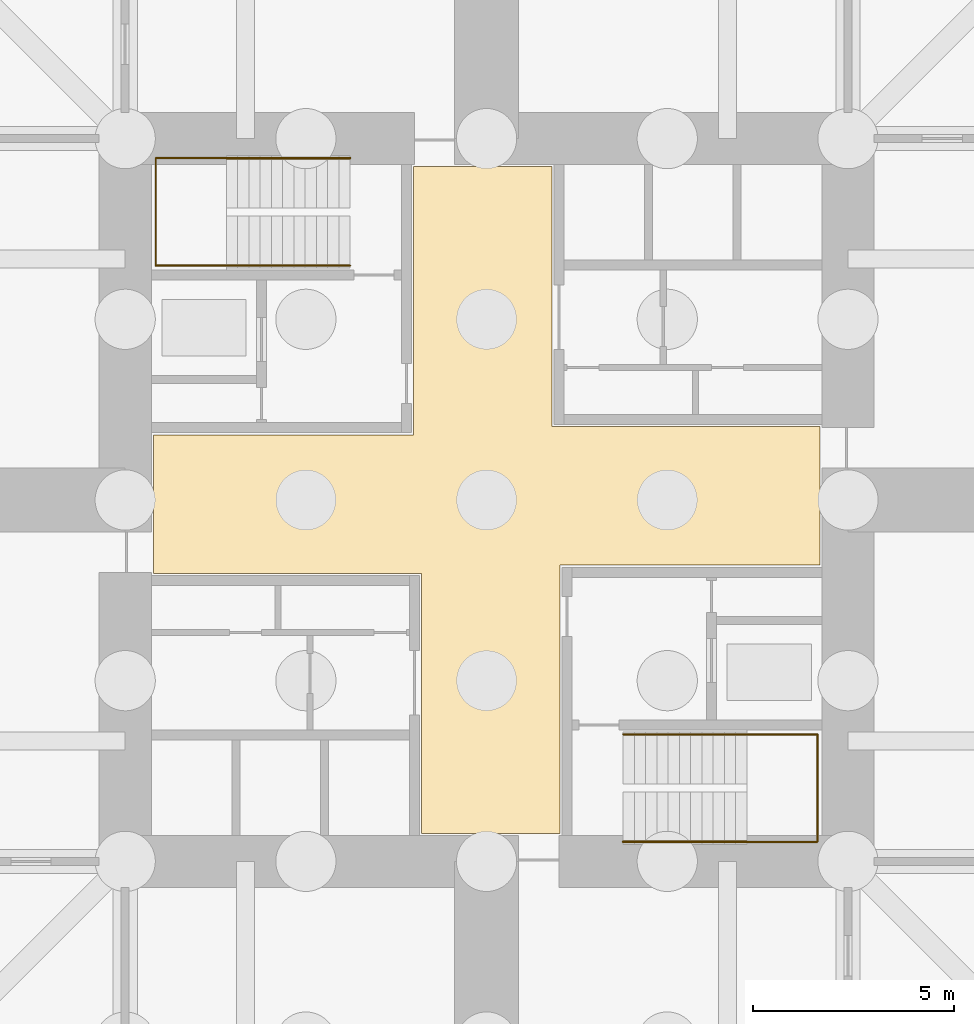
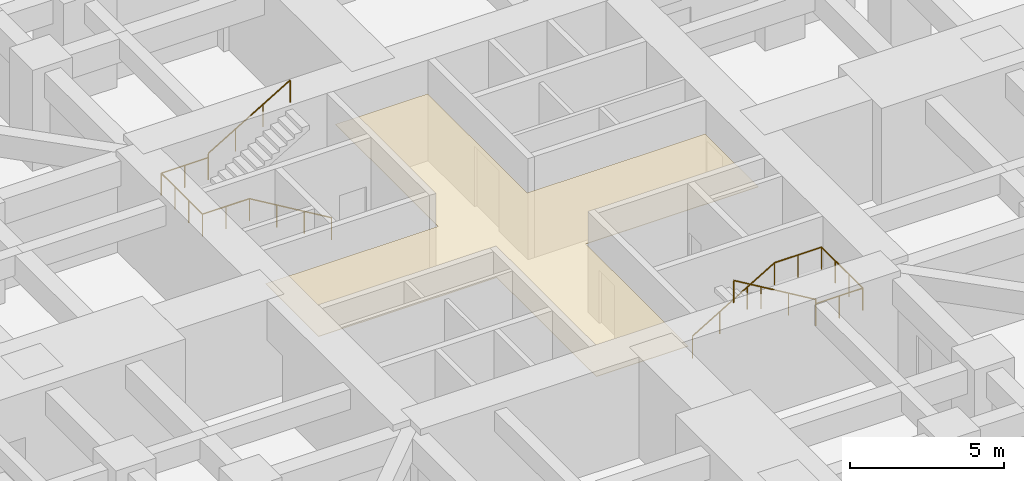
# One storey, part 7 of 8: 4 railings, 1 covering.
"""IFC4 building model written with IfcOpenShell, lengths in metres."""

import ifcopenshell
import ifcopenshell.guid

model = None  # the IFC model being written
_history = None  # IfcOwnerHistory: only IFC2X3 demands one
_inside = {}  # id of a spatial element -> (the spatial element, [elements in it])
_under = {}  # id of a project, library or spatial element -> (it, [spatial elements below it])
_declared = {}  # id of a project -> (the project, [libraries it declares])
_typed = {}  # id of a type object -> (the type object, [elements of that type])
_made_of = {}  # id of a material, layer set ... -> (it, [elements and type objects made of it])


def new_model(schema):
    """Start an empty IFC model of exactly this schema.

    Asked for "IFC4X3", IfcOpenShell would pick the latest addendum, in which some entities
    have other attributes; the version numbers below select the first issue.
    IFC2X3 requires an IfcOwnerHistory on every rooted entity: one is made here for all.
    """
    global model, _history
    if schema == "IFC4X3":
        model = ifcopenshell.file(schema_version=(4, 3, 0, 0))
    else:
        model = ifcopenshell.file(schema=schema)
    _inside.clear()
    _under.clear()
    _declared.clear()
    _typed.clear()
    _made_of.clear()
    _history = None
    if model.schema == "IFC2X3":
        org = make("IfcOrganization", Name="unknown")
        user = make(
            "IfcPersonAndOrganization",
            ThePerson=make("IfcPerson", FamilyName="unknown"),
            TheOrganization=org,
        )
        app = make(
            "IfcApplication",
            ApplicationDeveloper=org,
            Version="unknown",
            ApplicationFullName="unknown",
            ApplicationIdentifier="unknown",
        )
        _history = make(
            "IfcOwnerHistory",
            OwningUser=user,
            OwningApplication=app,
            ChangeAction="ADDED",
            CreationDate=0,
        )
    return model


def make(cls, **values):
    """One entity of the class cls with the attributes given. An attribute that is None is left unset."""
    return model.create_entity(
        cls, **{name: value for name, value in values.items() if value is not None}
    )


def rooted(cls, **values):
    """An entity with a GlobalId (a new one), such as an element, a storey or a relation."""
    return make(cls, GlobalId=ifcopenshell.guid.new(), OwnerHistory=_history, **values)


def si_unit(unit_type, name, prefix=None):
    """IfcSIUnit, for example si_unit("LENGTHUNIT", "METRE", prefix="MILLI")."""
    return make("IfcSIUnit", UnitType=unit_type, Prefix=prefix, Name=name)


def assignment(units):
    """IfcUnitAssignment: the units of a project."""
    return None if units is None else make("IfcUnitAssignment", Units=units)


def point(xyz):
    """IfcCartesianPoint."""
    return None if xyz is None else make("IfcCartesianPoint", Coordinates=xyz)


def direction(xyz):
    """IfcDirection."""
    return None if xyz is None else make("IfcDirection", DirectionRatios=xyz)


def frame(location, z_axis=None, x_axis=None):
    """IfcAxis2Placement3D, a coordinate frame: its origin and axes. An axis left out is left unset."""
    return make(
        "IfcAxis2Placement3D",
        Location=point(location),
        Axis=direction(z_axis),
        RefDirection=direction(x_axis),
    )


def frame_2d(location, x_axis=None):
    """IfcAxis2Placement2D, a coordinate frame in the plane: its origin and x axis."""
    return make(
        "IfcAxis2Placement2D", Location=point(location), RefDirection=direction(x_axis)
    )


def origin():
    """The frame at (0, 0, 0) with its axes left unset."""
    return frame((0.0, 0.0, 0.0))


def origin_2d():
    """The frame at (0, 0) in the plane with its x axis left unset."""
    return frame_2d((0.0, 0.0))


def place(relative_to, where):
    """IfcLocalPlacement: puts the frame where relative to a parent placement (None: the world)."""
    return make(
        "IfcLocalPlacement", PlacementRelTo=relative_to, RelativePlacement=where
    )


def context(
    kind, dimensions, precision=None, world=None, true_north=None, identifier=None
):
    """IfcGeometricRepresentationContext, for example the 3D "Model" context."""
    return make(
        "IfcGeometricRepresentationContext",
        ContextIdentifier=identifier,
        ContextType=kind,
        CoordinateSpaceDimension=dimensions,
        Precision=precision,
        WorldCoordinateSystem=world,
        TrueNorth=true_north,
    )


def subcontext(parent, identifier, kind, view, scale=None):
    """IfcGeometricRepresentationSubContext, for example "Body" below "Model"."""
    return make(
        "IfcGeometricRepresentationSubContext",
        ContextIdentifier=identifier,
        ContextType=kind,
        ParentContext=parent,
        TargetScale=scale,
        TargetView=view,
    )


def project(units=None, contexts=None):
    """IfcProject with its units and contexts."""
    return rooted(
        "IfcProject",
        Name="project",
        RepresentationContexts=contexts,
        UnitsInContext=assignment(units),
    )


def spatial(cls, under=None, at=None, **own):
    """A site, building, storey or space (cls), placed at a placement, below another one or the project."""
    s = rooted(cls, ObjectPlacement=at, **own)
    if under is not None:
        _under.setdefault(under.id(), (under, []))[1].append(s)
    return s


def polyline(points):
    """IfcPolyline through the points."""
    return make("IfcPolyline", Points=[point(p) for p in points])


def profile(cls, at=None, kind="AREA", **sizes):
    """A parametric profile (cls). Its sizes go by their IFC names, for example OverallWidth=200.0."""
    return make(cls, ProfileType=kind, Position=at, **sizes)


def circle(**sizes):
    """IfcCircleProfileDef."""
    return profile("IfcCircleProfileDef", **sizes)


def outline(outer, holes=None, kind="AREA"):
    """IfcArbitraryClosedProfileDef: a profile drawn as a closed curve; with holes, ...WithVoids."""
    if holes is None:
        return make("IfcArbitraryClosedProfileDef", ProfileType=kind, OuterCurve=outer)
    return make(
        "IfcArbitraryProfileDefWithVoids",
        ProfileType=kind,
        OuterCurve=outer,
        InnerCurves=holes,
    )


def extrude(swept, where, along, depth):
    """IfcExtrudedAreaSolid: the profile swept, set in the frame where, extruded along a direction by depth."""
    return make(
        "IfcExtrudedAreaSolid",
        SweptArea=swept,
        Position=where,
        ExtrudedDirection=direction(along),
        Depth=depth,
    )


def shape(context_of_items, identifier, shape_type, items):
    """IfcShapeRepresentation: the items that make up one representation, for example the "Body"."""
    return make(
        "IfcShapeRepresentation",
        ContextOfItems=context_of_items,
        RepresentationIdentifier=identifier,
        RepresentationType=shape_type,
        Items=items,
    )


def material(Name=None, Category=None):
    """IfcMaterial."""
    return make("IfcMaterial", Name=Name, Category=Category)


def layer(
    of_material, thickness, ventilated=None, Name=None, Category=None, Priority=None
):
    """IfcMaterialLayer: one layer of a wall or slab, of a material (None: an air gap)."""
    return make(
        "IfcMaterialLayer",
        Material=of_material,
        LayerThickness=thickness,
        IsVentilated=ventilated,
        Name=Name,
        Category=Category,
        Priority=Priority,
    )


def layer_set(layers, Name=None):
    """IfcMaterialLayerSet."""
    return make("IfcMaterialLayerSet", MaterialLayers=layers, LayerSetName=Name)


def made_of(thing, what):
    """Note that an element or type object is made of a material, layer set ...; save() writes the relation."""
    if what is not None:
        _made_of.setdefault(what.id(), (what, []))[1].append(thing)
    return thing


def type_object(cls, material=None, **own):
    """A type object (cls), such as IfcWallType, which elements share."""
    return made_of(rooted(cls, **own), material)


def element(
    cls,
    number,
    at=None,
    inside=None,
    cuts=None,
    type_object=None,
    material=None,
    context=None,
    identifier="Body",
    shape_type=None,
    held_by="IfcProductDefinitionShape",
    body=None,
    shapes=None,
    **own,
):
    """One element of the class cls, such as IfcWall. Its Tag is "e" and its number.

    at: its placement. inside: the storey or other place that contains it. cuts: it is an
    opening in that element (IfcRelVoidsElement). A single representation is given by context,
    identifier, shape_type and body (its items); several are given by shapes. held_by: the class
    of the entity that holds the representations. save() writes the other relations.
    """
    e = rooted(cls, Tag="e%d" % number, ObjectPlacement=at, **own)
    if body is not None:
        shapes = [shape(context, identifier, shape_type, body)]
    if shapes is not None:
        e.Representation = make(held_by, Representations=shapes)
    if inside is not None:
        _inside.setdefault(inside.id(), (inside, []))[1].append(e)
    if cuts is not None:
        rooted(
            "IfcRelVoidsElement", RelatingBuildingElement=cuts, RelatedOpeningElement=e
        )
    if type_object is not None:
        _typed.setdefault(type_object.id(), (type_object, []))[1].append(e)
    return made_of(e, material)


def aggregate(whole, parts):
    """IfcRelAggregates: a whole, such as a stair, and the parts it consists of."""
    return rooted("IfcRelAggregates", RelatingObject=whole, RelatedObjects=parts)


def save(model, path):
    """Write the relations noted so far, then the file.

    IfcRelAggregates (storeys below a building ...), IfcRelContainedInSpatialStructure (elements
    in a storey), IfcRelDefinesByType, IfcRelAssociatesMaterial and IfcRelDeclares: one each for
    every whole, place, type object, material and project.
    """
    for whole, parts in _under.values():
        aggregate(whole, parts)
    for where, things in _inside.values():
        rooted(
            "IfcRelContainedInSpatialStructure",
            RelatedElements=things,
            RelatingStructure=where,
        )
    for kind, things in _typed.values():
        rooted("IfcRelDefinesByType", RelatedObjects=things, RelatingType=kind)
    for what, things in _made_of.values():
        rooted("IfcRelAssociatesMaterial", RelatedObjects=things, RelatingMaterial=what)
    for by, libraries in _declared.values():
        rooted("IfcRelDeclares", RelatingContext=by, RelatedDefinitions=libraries)
    model.write(path)


model = new_model("IFC4")

# Units and contexts
model_context = context("Model", 3, precision=1e-05, world=origin(), true_north=direction((0.0, 1.0)))
body_context = subcontext(model_context, "Body", "Model", "MODEL_VIEW")
ifc_project = project(units=[si_unit("LENGTHUNIT", "METRE"), si_unit("AREAUNIT", "SQUARE_METRE"), si_unit("VOLUMEUNIT", "CUBIC_METRE"), si_unit("PLANEANGLEUNIT", "RADIAN"), si_unit("MASSUNIT", "GRAM", prefix="KILO")], contexts=[model_context])

# Site, building, storey
site_placement = place(None, origin())
site = spatial("IfcSite", under=ifc_project, at=site_placement, CompositionType="ELEMENT")
building_placement = place(site_placement, origin())
building = spatial("IfcBuilding", under=site, at=building_placement, Name="Torre Cruceta", CompositionType="ELEMENT")
storey_placement = place(building_placement, frame((0.0, 0.0, -8.0)))
storey = spatial("IfcBuildingStorey", under=building, at=storey_placement, Name="B02", CompositionType="ELEMENT", Elevation=-8.0)

# Railings
ifc_material_1 = material(Name="Stainless steel 1.4401", Category="steel")
railing_type = type_object("IfcRailingType", Name="HANDRAIL 900", PredefinedType="HANDRAIL", material=ifc_material_1)
railing_1_placement = place(storey_placement, frame((-3.39990234375, 5.8349609375, 0.166748046875)))
element("IfcRailing", 1, at=railing_1_placement, inside=storey, type_object=railing_type, Name="Handrail HR1 ST1 B02", PredefinedType="HANDRAIL", context=body_context, shape_type="SweptSolid", body=[
    extrude(circle(Radius=0.02392578125, at=origin_2d()), frame((0.0, 0.0, 0.8759765625), z_axis=(-0.859308565015, 0.0, 0.511457515432), x_axis=(0.0, -1.0, 0.0)), (0.0, 0.0, 1.0), 3.58447265625),
    extrude(circle(Radius=0.02392578125, at=origin_2d()), frame((-3.080078125, 0.0, 2.708984375), z_axis=(-1.0, 0.0, 0.0), x_axis=(0.0, -1.0, 0.0)), (0.0, 0.0, 1.0), 1.760009765625),
    extrude(circle(Radius=0.02392578125, at=origin_2d()), frame((-4.840087890625, 0.0, 2.708984375), z_axis=(0.0, 1.0, 0.0), x_axis=(-1.0, 0.0, 0.0)), (0.0, 0.0, 1.0), 2.679931640625),
    extrude(circle(Radius=0.02392578125, at=origin_2d()), frame((-4.840087890625, 2.679931640625, 2.708984375), z_axis=(1.0, 0.0, 0.0), x_axis=(0.0, 1.0, 0.0)), (0.0, 0.0, 1.0), 1.760009765625),
    extrude(circle(Radius=0.02099609375, at=origin_2d()), origin(), (0.0, 0.0, 1.0), 0.851806640625),
    extrude(circle(Radius=0.02099609375, at=origin_2d()), frame((-1.026611328125, 0.0, 0.611083984375)), (0.0, 0.0, 1.0), 0.851806640625),
    extrude(circle(Radius=0.02099609375, at=origin_2d()), frame((-2.053466796875, 0.0, 1.22216796875)), (0.0, 0.0, 1.0), 0.851806640625),
    extrude(circle(Radius=0.02099609375, at=origin_2d()), frame((-3.080078125, 0.0, 1.833251953125)), (0.0, 0.0, 1.0), 0.851806640625),
    extrude(circle(Radius=0.02099609375, at=origin_2d()), frame((-3.9599609375, 0.0, 1.833251953125)), (0.0, 0.0, 1.0), 0.851806640625),
    extrude(circle(Radius=0.02099609375, at=origin_2d()), frame((-4.840087890625, 0.0, 1.833251953125)), (0.0, 0.0, 1.0), 0.851806640625),
    extrude(circle(Radius=0.02099609375, at=origin_2d()), frame((-4.840087890625, 0.893310546875, 1.833251953125)), (0.0, 0.0, 1.0), 0.851806640625),
    extrude(circle(Radius=0.02099609375, at=origin_2d()), frame((-4.840087890625, 1.78662109375, 1.833251953125)), (0.0, 0.0, 1.0), 0.851806640625),
    extrude(circle(Radius=0.02099609375, at=origin_2d()), frame((-4.840087890625, 2.679931640625, 1.833251953125)), (0.0, 0.0, 1.0), 0.851806640625),
    extrude(circle(Radius=0.02099609375, at=origin_2d()), frame((-3.9599609375, 2.679931640625, 1.833251953125)), (0.0, 0.0, 1.0), 0.851806640625),
    extrude(circle(Radius=0.02099609375, at=origin_2d()), frame((-3.080078125, 2.679931640625, 1.833251953125)), (0.0, 0.0, 1.0), 0.851806640625),
])
railing_2_placement = place(storey_placement, frame((-6.47998046875, 8.514892578125, 2.166748046875)))
element("IfcRailing", 2, at=railing_2_placement, inside=storey, type_object=railing_type, Name="Handrail HR1 ST1 B02", PredefinedType="HANDRAIL", context=body_context, shape_type="SweptSolid", body=[
    extrude(circle(Radius=0.02392578125, at=origin_2d()), frame((0.0, 0.0, 0.8759765625), z_axis=(0.859308565015, 0.0, 0.511457515432), x_axis=(0.0, 1.0, 0.0)), (0.0, 0.0, 1.0), 3.58447265625),
    extrude(circle(Radius=0.02099609375, at=origin_2d()), origin(), (0.0, 0.0, 1.0), 0.851806640625),
    extrude(circle(Radius=0.02099609375, at=origin_2d()), frame((1.026611328125, 0.0, 0.611083984375)), (0.0, 0.0, 1.0), 0.851806640625),
    extrude(circle(Radius=0.02099609375, at=origin_2d()), frame((2.053466796875, 0.0, 1.22216796875)), (0.0, 0.0, 1.0), 0.851806640625),
    extrude(circle(Radius=0.02099609375, at=origin_2d()), frame((3.080078125, 0.0, 1.833251953125)), (0.0, 0.0, 1.0), 0.851806640625),
])
railing_3_placement = place(storey_placement, frame((3.39990234375, -5.8349609375, 0.166748046875)))
element("IfcRailing", 3, at=railing_3_placement, inside=storey, type_object=railing_type, Name="Handrail HR1 ST2 B02", PredefinedType="HANDRAIL", context=body_context, shape_type="SweptSolid", body=[
    extrude(circle(Radius=0.02392578125, at=origin_2d()), frame((0.0, 0.0, 0.8759765625), z_axis=(0.859308565015, 0.0, 0.511457515432), x_axis=(0.0, 1.0, 0.0)), (0.0, 0.0, 1.0), 3.58447265625),
    extrude(circle(Radius=0.02392578125, at=origin_2d()), frame((3.080078125, 0.0, 2.708984375), z_axis=(1.0, 0.0, 0.0), x_axis=(0.0, 1.0, 0.0)), (0.0, 0.0, 1.0), 1.760009765625),
    extrude(circle(Radius=0.02392578125, at=origin_2d()), frame((4.840087890625, 0.0, 2.708984375), z_axis=(0.0, -1.0, 0.0), x_axis=(1.0, 0.0, 0.0)), (0.0, 0.0, 1.0), 2.679931640625),
    extrude(circle(Radius=0.02392578125, at=origin_2d()), frame((4.840087890625, -2.679931640625, 2.708984375), z_axis=(-1.0, 0.0, 0.0), x_axis=(0.0, -1.0, 0.0)), (0.0, 0.0, 1.0), 1.760009765625),
    extrude(circle(Radius=0.02099609375, at=origin_2d()), origin(), (0.0, 0.0, 1.0), 0.851806640625),
    extrude(circle(Radius=0.02099609375, at=origin_2d()), frame((1.026611328125, 0.0, 0.611083984375)), (0.0, 0.0, 1.0), 0.851806640625),
    extrude(circle(Radius=0.02099609375, at=origin_2d()), frame((2.053466796875, 0.0, 1.22216796875)), (0.0, 0.0, 1.0), 0.851806640625),
    extrude(circle(Radius=0.02099609375, at=origin_2d()), frame((3.080078125, 0.0, 1.833251953125)), (0.0, 0.0, 1.0), 0.851806640625),
    extrude(circle(Radius=0.02099609375, at=origin_2d()), frame((3.9599609375, 0.0, 1.833251953125)), (0.0, 0.0, 1.0), 0.851806640625),
    extrude(circle(Radius=0.02099609375, at=origin_2d()), frame((4.840087890625, 0.0, 1.833251953125)), (0.0, 0.0, 1.0), 0.851806640625),
    extrude(circle(Radius=0.02099609375, at=origin_2d()), frame((4.840087890625, -0.893310546875, 1.833251953125)), (0.0, 0.0, 1.0), 0.851806640625),
    extrude(circle(Radius=0.02099609375, at=origin_2d()), frame((4.840087890625, -1.78662109375, 1.833251953125)), (0.0, 0.0, 1.0), 0.851806640625),
    extrude(circle(Radius=0.02099609375, at=origin_2d()), frame((4.840087890625, -2.679931640625, 1.833251953125)), (0.0, 0.0, 1.0), 0.851806640625),
    extrude(circle(Radius=0.02099609375, at=origin_2d()), frame((3.9599609375, -2.679931640625, 1.833251953125)), (0.0, 0.0, 1.0), 0.851806640625),
    extrude(circle(Radius=0.02099609375, at=origin_2d()), frame((3.080078125, -2.679931640625, 1.833251953125)), (0.0, 0.0, 1.0), 0.851806640625),
])
railing_4_placement = place(storey_placement, frame((6.47998046875, -8.514892578125, 2.166748046875)))
element("IfcRailing", 4, at=railing_4_placement, inside=storey, type_object=railing_type, Name="Handrail HR1 ST2 B02", PredefinedType="HANDRAIL", context=body_context, shape_type="SweptSolid", body=[
    extrude(circle(Radius=0.02392578125, at=origin_2d()), frame((0.0, 0.0, 0.8759765625), z_axis=(-0.859308565015, 0.0, 0.511457515432), x_axis=(0.0, -1.0, 0.0)), (0.0, 0.0, 1.0), 3.58447265625),
    extrude(circle(Radius=0.02099609375, at=origin_2d()), origin(), (0.0, 0.0, 1.0), 0.851806640625),
    extrude(circle(Radius=0.02099609375, at=origin_2d()), frame((-1.026611328125, 0.0, 0.611083984375)), (0.0, 0.0, 1.0), 0.851806640625),
    extrude(circle(Radius=0.02099609375, at=origin_2d()), frame((-2.053466796875, 0.0, 1.22216796875)), (0.0, 0.0, 1.0), 0.851806640625),
    extrude(circle(Radius=0.02099609375, at=origin_2d()), frame((-3.080078125, 0.0, 1.833251953125)), (0.0, 0.0, 1.0), 0.851806640625),
])

# Covering
ifc_material_2 = material(Name="Mineral fibre ceiling tile", Category="gypsum")
ifc_layer = layer(ifc_material_2, 0.02001953125)
ifc_layer_set = layer_set([ifc_layer], Name="Mineral fibre ceiling tile")
covering_type = type_object("IfcCoveringType", Name="SUSPENDED CEILING 20", PredefinedType="CEILING", material=ifc_layer_set)
covering_placement = place(storey_placement, frame((0.0, 0.0, 2.679931640625)))
element("IfcCovering", 5, at=covering_placement, inside=storey, type_object=covering_type, Name="Ceiling B02-001", PredefinedType="CEILING", context=body_context, shape_type="SweptSolid", body=[
    extrude(outline(polyline([(-1.625, -8.300048828125), (-1.625, -1.824951171875), (-8.300048828125, -1.824951171875), (-8.300048828125, 1.625), (-1.824951171875, 1.625), (-1.824951171875, 8.300048828125), (1.625, 8.300048828125), (1.625, 1.824951171875), (8.300048828125, 1.824951171875), (8.300048828125, -1.625), (1.824951171875, -1.625), (1.824951171875, -8.300048828125), (-1.625, -8.300048828125)])), origin(), (0.0, 0.0, 1.0), 0.02001953125),
])

save(model, "model.ifc")
